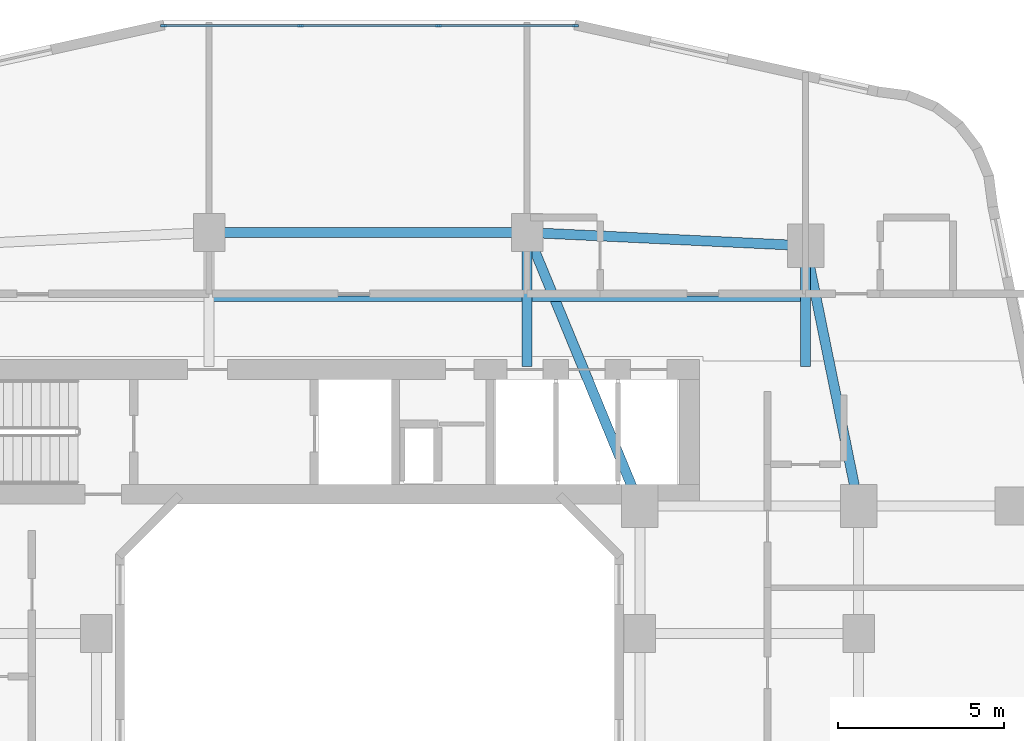
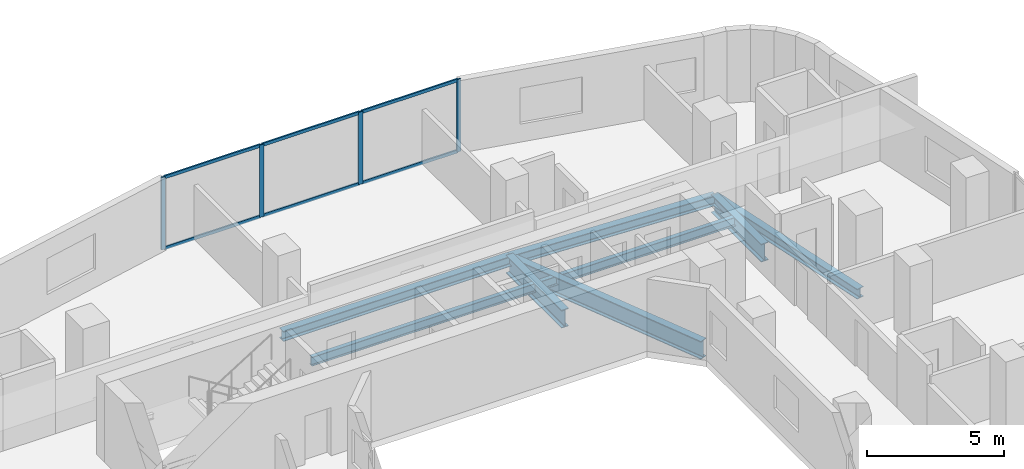
# One storey, part 7 of 27: 10 members, 8 beams, 1 element without a shape of its own.
"""IFC4 building model written with IfcOpenShell, lengths in metres."""

from ifc_helpers import new_model, si_unit, derived_unit, direction, frame, origin, origin_2d, place, context, subcontext, project, spatial, rectangle, i_section, extrude, material, layer, layer_set, material_profile, profile_set, type_object, element, aggregate, save


model = new_model("IFC4")

# Units and contexts
model_context = context("Model", 3, precision=1e-05, world=origin(), true_north=direction((0.0, 1.0)))
body_context = subcontext(model_context, "Body", "Model", "MODEL_VIEW")
ifc_project = project(units=[si_unit("LENGTHUNIT", "METRE"), si_unit("AREAUNIT", "SQUARE_METRE"), si_unit("VOLUMEUNIT", "CUBIC_METRE"), si_unit("PLANEANGLEUNIT", "RADIAN"), si_unit("MASSUNIT", "GRAM", prefix="KILO"), derived_unit("THERMALTRANSMITTANCEUNIT", [(si_unit("POWERUNIT", "WATT"), 1), (si_unit("LENGTHUNIT", "METRE"), -2), (si_unit("THERMODYNAMICTEMPERATUREUNIT", "KELVIN"), -1)])], contexts=[model_context])

# Site, building, storey
site_placement = place(None, origin())
site = spatial("IfcSite", under=ifc_project, at=site_placement, CompositionType="ELEMENT")
building_placement = place(site_placement, origin())
building = spatial("IfcBuilding", under=site, at=building_placement, Name="Kivonza Crest Hotel", CompositionType="ELEMENT")
storey_placement = place(building_placement, frame((0.0, 0.0, 34.5)))
storey = spatial("IfcBuildingStorey", under=building, at=storey_placement, Name="L08", CompositionType="ELEMENT", Elevation=34.5)

# Beams
ifc_material_1 = material(Name="Steel S355", Category="steel")
ifc_material_profile_1 = material_profile(ifc_material_1, i_section(OverallWidth=0.300048828125, OverallDepth=0.449951171875, WebThickness=0.013916015625, FlangeThickness=0.02587890625, FilletRadius=0.027099609375, at=origin_2d()), Name="HEB 450")
ifc_profile_set_1 = profile_set([ifc_material_profile_1], Name="Steel S355")
beam_type_1 = type_object("IfcBeamType", Name="BM-HEB450", PredefinedType="SPANDREL", material=ifc_profile_set_1)
beam_1_placement = place(storey_placement, frame((35.800048828125, 32.35009765625, -0.5048828125), z_axis=(-0.199730733965, 0.979850822273, 0.0), x_axis=(-0.979850822273, -0.199730733965, 0.0)))
element("IfcBeam", 1, at=beam_1_placement, inside=storey, type_object=beam_type_1, Name="Tower T1 L08 perimeter spandrel PNE-NE", PredefinedType="SPANDREL", context=body_context, shape_type="SweptSolid", body=[
    extrude(i_section(OverallWidth=0.300048828125, OverallDepth=0.449951171875, WebThickness=0.013916015625, FlangeThickness=0.02587890625, FilletRadius=0.027099609375, at=origin_2d()), origin(), (0.0, 0.0, 1.0), 8.01123046875),
])
beam_2_placement = place(storey_placement, frame((34.199951171875, 40.199951171875, -0.5048828125), z_axis=(-0.998867283688, 0.047583080799, 0.0), x_axis=(-0.047583080799, -0.998867283688, 0.0)))
element("IfcBeam", 2, at=beam_2_placement, inside=storey, type_object=beam_type_1, Name="Tower T1 L08 perimeter spandrel NE-N2", PredefinedType="SPANDREL", context=body_context, shape_type="SweptSolid", body=[
    extrude(i_section(OverallWidth=0.300048828125, OverallDepth=0.449951171875, WebThickness=0.013916015625, FlangeThickness=0.02587890625, FilletRadius=0.027099609375, at=origin_2d()), origin(), (0.0, 0.0, 1.0), 8.409423828125),
])
beam_3_placement = place(storey_placement, frame((25.800048828125, 40.60009765625, -0.5048828125), z_axis=(-1.0, 0.0, 0.0), x_axis=(0.0, -1.0, 0.0)))
element("IfcBeam", 3, at=beam_3_placement, inside=storey, type_object=beam_type_1, Name="Tower T1 L08 perimeter spandrel N2-N1", PredefinedType="SPANDREL", context=body_context, shape_type="SweptSolid", body=[
    extrude(i_section(OverallWidth=0.300048828125, OverallDepth=0.449951171875, WebThickness=0.013916015625, FlangeThickness=0.02587890625, FilletRadius=0.027099609375, at=origin_2d()), origin(), (0.0, 0.0, 1.0), 9.60009765625),
])
ifc_material_profile_2 = material_profile(ifc_material_1, i_section(OverallWidth=0.300048828125, OverallDepth=0.800048828125, WebThickness=0.017578125, FlangeThickness=0.032958984375, FilletRadius=0.030029296875, at=origin_2d()), Name="HEB 800")
ifc_profile_set_2 = profile_set([ifc_material_profile_2], Name="Steel S355")
beam_type_2 = type_object("IfcBeamType", Name="BM-HEB800", PredefinedType="BEAM", material=ifc_profile_set_2)
beam_4_placement = place(storey_placement, frame((25.800048828125, 40.60009765625, -0.679931640625), z_axis=(0.381022260404, -0.924565864109, 0.0), x_axis=(0.924565864109, 0.381022260404, 0.0)))
element("IfcBeam", 4, at=beam_4_placement, inside=storey, type_object=beam_type_2, Name="Tower T1 L08 primary girder N1-TNE", PredefinedType="BEAM", context=body_context, shape_type="SweptSolid", body=[
    extrude(i_section(OverallWidth=0.300048828125, OverallDepth=0.800048828125, WebThickness=0.017578125, FlangeThickness=0.032958984375, FilletRadius=0.030029296875, at=origin_2d()), origin(), (0.0, 0.0, 1.0), 8.923095703125),
])
beam_5_placement = place(storey_placement, frame((25.800048828125, 40.60009765625, -0.679931640625), z_axis=(0.0, -1.0, 0.0), x_axis=(1.0, 0.0, 0.0)))
element("IfcBeam", 5, at=beam_5_placement, inside=storey, type_object=beam_type_2, Name="Tower T1 L08 radial core girder RN2", PredefinedType="BEAM", context=body_context, shape_type="SweptSolid", body=[
    extrude(i_section(OverallWidth=0.300048828125, OverallDepth=0.800048828125, WebThickness=0.017578125, FlangeThickness=0.032958984375, FilletRadius=0.030029296875, at=origin_2d()), origin(), (0.0, 0.0, 1.0), 4.050048828125),
])
beam_6_placement = place(storey_placement, frame((34.199951171875, 40.199951171875, -0.679931640625), z_axis=(0.0, -1.0, 0.0), x_axis=(1.0, 0.0, 0.0)))
element("IfcBeam", 6, at=beam_6_placement, inside=storey, type_object=beam_type_2, Name="Tower T1 L08 radial core girder RNE", PredefinedType="BEAM", context=body_context, shape_type="SweptSolid", body=[
    extrude(i_section(OverallWidth=0.300048828125, OverallDepth=0.800048828125, WebThickness=0.017578125, FlangeThickness=0.032958984375, FilletRadius=0.030029296875, at=origin_2d()), origin(), (0.0, 0.0, 1.0), 3.64990234375),
])
ifc_material_profile_3 = material_profile(ifc_material_1, i_section(OverallWidth=0.179931640625, OverallDepth=0.39990234375, WebThickness=0.008544921875, FlangeThickness=0.013427734375, FilletRadius=0.02099609375, at=origin_2d()), Name="IPE 400")
ifc_profile_set_3 = profile_set([ifc_material_profile_3], Name="Steel S355")
beam_type_3 = type_object("IfcBeamType", Name="BM-IPE400", PredefinedType="JOIST", material=ifc_profile_set_3)
beam_7_placement = place(storey_placement, frame((16.280029296875, 38.60009765625, -0.47998046875), z_axis=(1.0, 0.0, 0.0), x_axis=(0.0, 1.0, 0.0)))
element("IfcBeam", 7, at=beam_7_placement, inside=storey, type_object=beam_type_3, Name="Tower T1 L08 North-Mid floor joist", PredefinedType="JOIST", context=body_context, shape_type="SweptSolid", body=[
    extrude(i_section(OverallWidth=0.179931640625, OverallDepth=0.39990234375, WebThickness=0.008544921875, FlangeThickness=0.013427734375, FilletRadius=0.02099609375, at=origin_2d()), origin(), (0.0, 0.0, 1.0), 9.43994140625),
])
beam_8_placement = place(storey_placement, frame((25.8798828125, 38.60009765625, -0.47998046875), z_axis=(1.0, 0.0, 0.0), x_axis=(0.0, 1.0, 0.0)))
element("IfcBeam", 8, at=beam_8_placement, inside=storey, type_object=beam_type_3, Name="Tower T1 L08 North-East floor joist", PredefinedType="JOIST", context=body_context, shape_type="SweptSolid", body=[
    extrude(i_section(OverallWidth=0.179931640625, OverallDepth=0.39990234375, WebThickness=0.008544921875, FlangeThickness=0.013427734375, FilletRadius=0.02099609375, at=origin_2d()), origin(), (0.0, 0.0, 1.0), 8.240234375),
])

# Curtain wall, members
ifc_material_2 = material(Name="Anodised bronze aluminium and low-E double glazing", Category="aluminium")
ifc_layer = layer(ifc_material_2, 0.179931640625)
ifc_layer_set = layer_set([ifc_layer], Name="Anodised bronze aluminium and low-E double glazing")
curtain_wall_type = type_object("IfcCurtainWallType", Name="CW-SYS-2", PredefinedType="NOTDEFINED", material=ifc_layer_set)
curtain_wall_placement = place(storey_placement, origin())
curtain_wall = element("IfcCurtainWall", 9, at=curtain_wall_placement, inside=storey, type_object=curtain_wall_type, Name="L08 unitised curtain wall CW-T1-L08-26", PredefinedType="NOTDEFINED")
ifc_material_3 = material(Name="Anodised bronze aluminium", Category="aluminium")
ifc_material_profile_4 = material_profile(ifc_material_3, rectangle(XDim=0.06494140625, YDim=0.179931640625, at=origin_2d()), Name="CW-M 65x180")
ifc_profile_set_4 = profile_set([ifc_material_profile_4], Name="Anodised bronze aluminium")
member_type_1 = type_object("IfcMemberType", Name="CW-MUL-65x180", PredefinedType="MULLION", material=ifc_profile_set_4)
member_1_placement = place(storey_placement, frame((27.255615234375, 46.840087890625, 0.0), z_axis=(0.0, 0.0, 1.0), x_axis=(0.0, -1.0, 0.0)))
member_1 = element("IfcMember", 10, at=member_1_placement, type_object=member_type_1, Name="CW-2 mullion 1", PredefinedType="MULLION", context=body_context, shape_type="SweptSolid", body=[
    extrude(rectangle(XDim=0.06494140625, YDim=0.179931640625, at=origin_2d()), origin(), (0.0, 0.0, 1.0), 3.219970703125),
])
member_2_placement = place(storey_placement, frame((23.12255859375, 46.840087890625, 0.0), z_axis=(0.0, 0.0, 1.0), x_axis=(0.0, -1.0, 0.0)))
member_2 = element("IfcMember", 11, at=member_2_placement, type_object=member_type_1, Name="CW-2 mullion 2", PredefinedType="MULLION", context=body_context, shape_type="SweptSolid", body=[
    extrude(rectangle(XDim=0.06494140625, YDim=0.179931640625, at=origin_2d()), origin(), (0.0, 0.0, 1.0), 3.219970703125),
])
member_3_placement = place(storey_placement, frame((18.957275390625, 46.840087890625, 0.0), z_axis=(0.0, 0.0, 1.0), x_axis=(0.0, -1.0, 0.0)))
member_3 = element("IfcMember", 12, at=member_3_placement, type_object=member_type_1, Name="CW-2 mullion 3", PredefinedType="MULLION", context=body_context, shape_type="SweptSolid", body=[
    extrude(rectangle(XDim=0.06494140625, YDim=0.179931640625, at=origin_2d()), origin(), (0.0, 0.0, 1.0), 3.219970703125),
])
member_4_placement = place(storey_placement, frame((14.824462890625, 46.840087890625, 0.0), z_axis=(0.0, 0.0, 1.0), x_axis=(0.0, -1.0, 0.0)))
member_4 = element("IfcMember", 13, at=member_4_placement, type_object=member_type_1, Name="CW-2 mullion 4", PredefinedType="MULLION", context=body_context, shape_type="SweptSolid", body=[
    extrude(rectangle(XDim=0.06494140625, YDim=0.179931640625, at=origin_2d()), origin(), (0.0, 0.0, 1.0), 3.219970703125),
])
ifc_material_profile_5 = material_profile(ifc_material_3, rectangle(XDim=0.06494140625, YDim=0.139892578125, at=origin_2d()), Name="CW-T 65x140")
ifc_profile_set_5 = profile_set([ifc_material_profile_5], Name="Anodised bronze aluminium")
member_type_2 = type_object("IfcMemberType", Name="CW-TRN-65x140", PredefinedType="USERDEFINED", material=ifc_profile_set_5)
member_5_placement = place(storey_placement, frame((27.222900390625, 46.840087890625, 0.032470703125), z_axis=(-1.0, 0.0, 0.0), x_axis=(0.0, -1.0, 0.0)))
member_5 = element("IfcMember", 14, at=member_5_placement, type_object=member_type_2, Name="CW-2 transom 1.1", ObjectType="TRANSOM", PredefinedType="USERDEFINED", context=body_context, shape_type="SweptSolid", body=[
    extrude(rectangle(XDim=0.06494140625, YDim=0.139892578125, at=origin_2d()), origin(), (0.0, 0.0, 1.0), 4.067626953125),
])
member_6_placement = place(storey_placement, frame((27.222900390625, 46.840087890625, 3.1875), z_axis=(-1.0, 0.0, 0.0), x_axis=(0.0, -1.0, 0.0)))
member_6 = element("IfcMember", 15, at=member_6_placement, type_object=member_type_2, Name="CW-2 transom 1.2", ObjectType="TRANSOM", PredefinedType="USERDEFINED", context=body_context, shape_type="SweptSolid", body=[
    extrude(rectangle(XDim=0.06494140625, YDim=0.139892578125, at=origin_2d()), origin(), (0.0, 0.0, 1.0), 4.067626953125),
])
member_7_placement = place(storey_placement, frame((23.090087890625, 46.840087890625, 0.032470703125), z_axis=(-1.0, 0.0, 0.0), x_axis=(0.0, -1.0, 0.0)))
member_7 = element("IfcMember", 16, at=member_7_placement, type_object=member_type_2, Name="CW-2 transom 2.1", ObjectType="TRANSOM", PredefinedType="USERDEFINED", context=body_context, shape_type="SweptSolid", body=[
    extrude(rectangle(XDim=0.06494140625, YDim=0.139892578125, at=origin_2d()), origin(), (0.0, 0.0, 1.0), 4.100341796875),
])
member_8_placement = place(storey_placement, frame((23.090087890625, 46.840087890625, 3.1875), z_axis=(-1.0, 0.0, 0.0), x_axis=(0.0, -1.0, 0.0)))
member_8 = element("IfcMember", 17, at=member_8_placement, type_object=member_type_2, Name="CW-2 transom 2.2", ObjectType="TRANSOM", PredefinedType="USERDEFINED", context=body_context, shape_type="SweptSolid", body=[
    extrude(rectangle(XDim=0.06494140625, YDim=0.139892578125, at=origin_2d()), origin(), (0.0, 0.0, 1.0), 4.100341796875),
])
member_9_placement = place(storey_placement, frame((18.9248046875, 46.840087890625, 0.032470703125), z_axis=(-1.0, 0.0, 0.0), x_axis=(0.0, -1.0, 0.0)))
member_9 = element("IfcMember", 18, at=member_9_placement, type_object=member_type_2, Name="CW-2 transom 3.1", ObjectType="TRANSOM", PredefinedType="USERDEFINED", context=body_context, shape_type="SweptSolid", body=[
    extrude(rectangle(XDim=0.06494140625, YDim=0.139892578125, at=origin_2d()), origin(), (0.0, 0.0, 1.0), 4.06787109375),
])
member_10_placement = place(storey_placement, frame((18.9248046875, 46.840087890625, 3.1875), z_axis=(-1.0, 0.0, 0.0), x_axis=(0.0, -1.0, 0.0)))
member_10 = element("IfcMember", 19, at=member_10_placement, type_object=member_type_2, Name="CW-2 transom 3.2", ObjectType="TRANSOM", PredefinedType="USERDEFINED", context=body_context, shape_type="SweptSolid", body=[
    extrude(rectangle(XDim=0.06494140625, YDim=0.139892578125, at=origin_2d()), origin(), (0.0, 0.0, 1.0), 4.06787109375),
])
aggregate(curtain_wall, [member_1, member_2, member_3, member_4, member_5, member_6, member_7, member_8, member_9, member_10])

save(model, "model.ifc")
